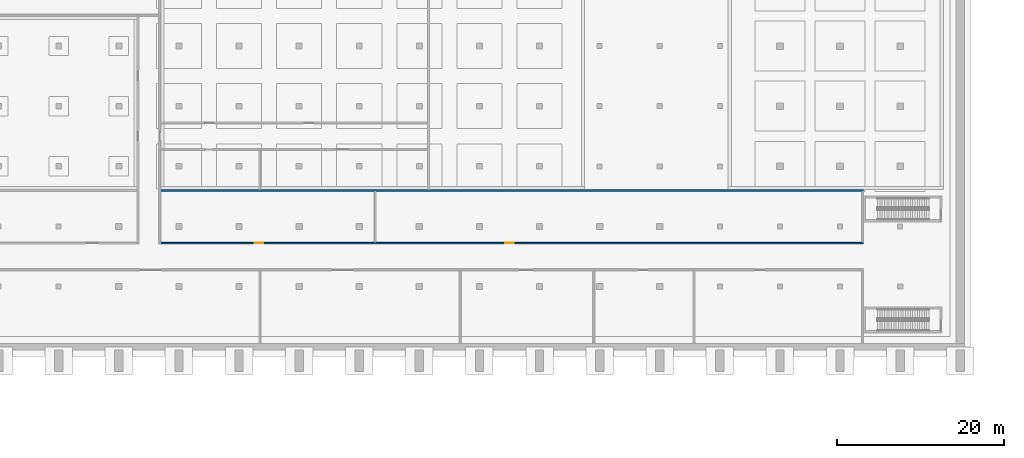
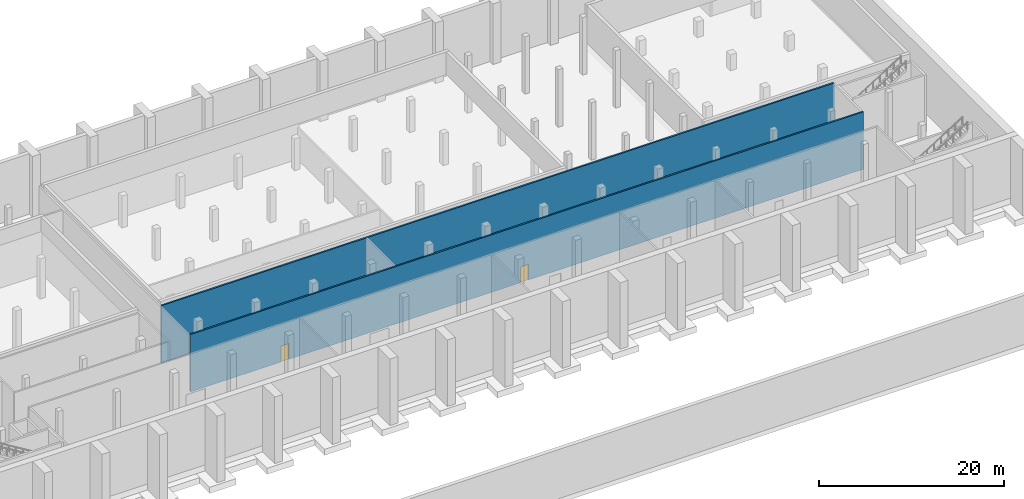
# One storey, part 8 of 14: 2 doors, 2 walls, 2 openings.
"""IFC4 building model written with IfcOpenShell, lengths in metres."""

from ifc_helpers import new_model, si_unit, direction, frame, frame_2d, origin, place, context, subcontext, project, spatial, rectangle, extrude, material, layer, layer_set, type_object, element, fill, save


model = new_model("IFC4")

# Units and contexts
model_context = context("Model", 3, precision=1e-05, world=origin(), true_north=direction((0.0, 1.0)))
body_context = subcontext(model_context, "Body", "Model", "MODEL_VIEW")
ifc_project = project(units=[si_unit("LENGTHUNIT", "METRE"), si_unit("AREAUNIT", "SQUARE_METRE"), si_unit("VOLUMEUNIT", "CUBIC_METRE"), si_unit("PLANEANGLEUNIT", "RADIAN"), si_unit("MASSUNIT", "GRAM", prefix="KILO")], contexts=[model_context])

# Site, building, storey
site_placement = place(None, origin())
site = spatial("IfcSite", under=ifc_project, at=site_placement, CompositionType="ELEMENT")
building_placement = place(site_placement, origin())
building = spatial("IfcBuilding", under=site, at=building_placement, Name="Vermilion Court Aquatics Centre", CompositionType="ELEMENT")
storey_placement = place(building_placement, frame((0.0, 0.0, -8.0)))
storey = spatial("IfcBuildingStorey", under=building, at=storey_placement, Name="B1", CompositionType="ELEMENT", Elevation=-8.0)

# Wall, openings, doors
ifc_material_1 = material(Name="Concrete masonry ASTM C90 Type I", Category="masonry")
ifc_layer = layer(ifc_material_1, 0.199951171875)
ifc_layer_set = layer_set([ifc_layer], Name="Hall plant partition 200")
wall_type = type_object("IfcWallType", Name="Hall plant partition 200", PredefinedType="PARTITIONING", material=ifc_layer_set)
wall_1_placement = place(storey_placement, frame((48.199951171875, 26.800048828125, 0.0), z_axis=(0.0, 0.0, 1.0), x_axis=(1.0, 0.0, 0.0)))
wall_1 = element("IfcWall", 1, at=wall_1_placement, inside=storey, type_object=wall_type, Name="Plant partition", PredefinedType="PARTITIONING", context=body_context, shape_type="SweptSolid", body=[
    extrude(rectangle(XDim=84.199951171875, YDim=0.199951171875, at=frame_2d((42.10009765625, 0.0))), origin(), (0.0, 0.0, 1.0), 7.594970703125),
])
opening_1_placement = place(wall_1_placement, frame((11.300048828125, 0.0, 0.0)))
opening_1 = element("IfcOpeningElement", 2, at=opening_1_placement, cuts=wall_1, Name="Opening HB1-007", PredefinedType="OPENING", context=body_context, shape_type="SweptSolid", body=[
    extrude(rectangle(XDim=1.0, YDim=2.10009765625, at=frame_2d((0.5, 1.050048828125))), frame((0.0, 0.10986328125, 0.0), z_axis=(0.0, -1.0, 0.0), x_axis=(1.0, 0.0, 0.0)), (0.0, 0.0, 1.0), 0.219970703125),
])
opening_2_placement = place(wall_1_placement, frame((41.300048828125, 0.0, 0.0)))
opening_2 = element("IfcOpeningElement", 3, at=opening_2_placement, cuts=wall_1, Name="Opening HB1-008", PredefinedType="OPENING", context=body_context, shape_type="SweptSolid", body=[
    extrude(rectangle(XDim=1.0, YDim=2.10009765625, at=frame_2d((0.5, 1.050048828125))), frame((0.0, 0.10986328125, 0.0), z_axis=(0.0, -1.0, 0.0), x_axis=(1.0, 0.0, 0.0)), (0.0, 0.0, 1.0), 0.219970703125),
])
ifc_material_2 = material(Name="Hollow metal")
door_type = type_object("IfcDoorType", Name="Hall single door 1000x2100", OperationType="NOTDEFINED", PredefinedType="DOOR", material=ifc_material_2)
door_1_placement = place(opening_1_placement, origin())
door_1 = element("IfcDoor", 4, at=door_1_placement, inside=storey, type_object=door_type, Name="Door Pool Plant Room", OperationType="SINGLE_SWING_LEFT", OverallHeight=2.10009765625, OverallWidth=1.0, PredefinedType="DOOR", context=body_context, shape_type="SweptSolid", body=[
    extrude(rectangle(XDim=1.0, YDim=2.10009765625, at=frame_2d((0.5, 1.050048828125))), frame((0.0, 0.02490234375, 0.0), z_axis=(0.0, -1.0, 0.0), x_axis=(1.0, 0.0, 0.0)), (0.0, 0.0, 1.0), 0.050048828125),
])
fill(opening_1, door_1)
door_2_placement = place(opening_2_placement, origin())
door_2 = element("IfcDoor", 5, at=door_2_placement, inside=storey, type_object=door_type, Name="Door Pool Water Treatment Room", OperationType="SINGLE_SWING_RIGHT", OverallHeight=2.10009765625, OverallWidth=1.0, PredefinedType="DOOR", context=body_context, shape_type="SweptSolid", body=[
    extrude(rectangle(XDim=1.0, YDim=2.10009765625, at=frame_2d((0.5, 1.050048828125))), frame((0.0, 0.02490234375, 0.0), z_axis=(0.0, -1.0, 0.0), x_axis=(1.0, 0.0, 0.0)), (0.0, 0.0, 1.0), 0.050048828125),
])
fill(opening_2, door_2)

# Wall
wall_2_placement = place(storey_placement, frame((48.199951171875, 33.10009765625, 0.0), z_axis=(0.0, 0.0, 1.0), x_axis=(1.0, 0.0, 0.0)))
element("IfcWall", 6, at=wall_2_placement, inside=storey, type_object=wall_type, Name="Plant partition", PredefinedType="PARTITIONING", context=body_context, shape_type="SweptSolid", body=[
    extrude(rectangle(XDim=84.199951171875, YDim=0.199951171875, at=frame_2d((42.10009765625, 0.0))), origin(), (0.0, 0.0, 1.0), 7.594970703125),
])

save(model, "model.ifc")
